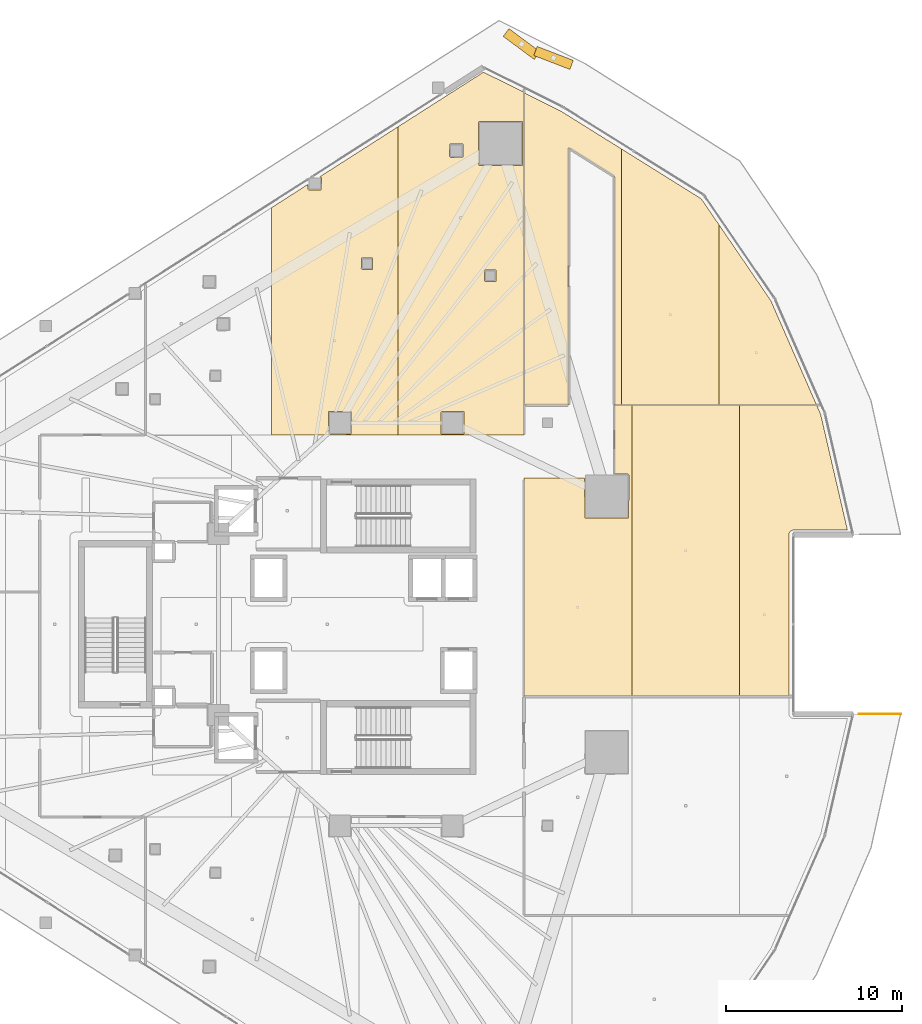
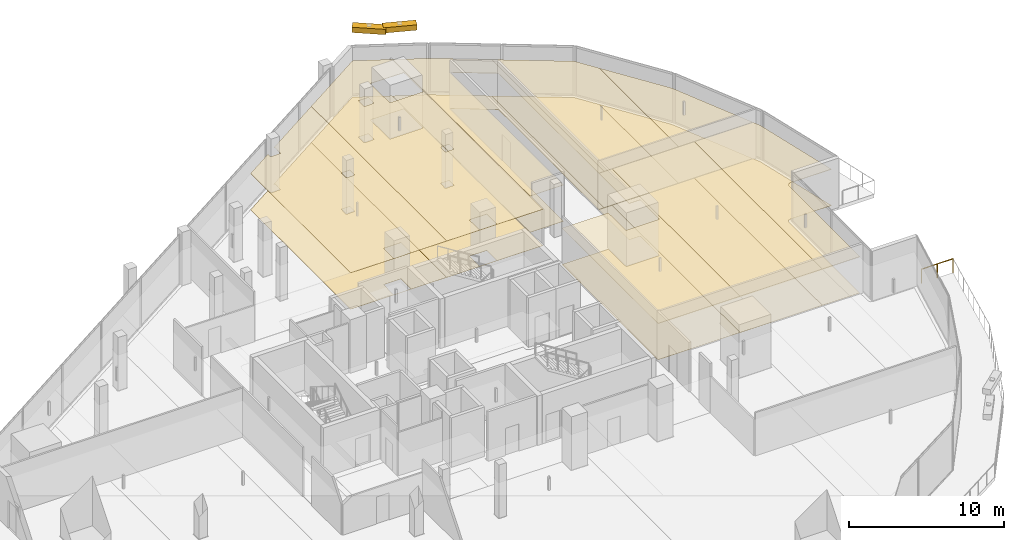
# One storey, part 45 of 45: 16 coverings, 2 shading devices, 1 railing.
"""IFC4 building model written with IfcOpenShell, lengths in metres."""

from ifc_helpers import new_model, si_unit, direction, frame, origin, origin_2d, place, context, subcontext, project, spatial, polyline, rectangle, circle, outline, extrude, material, layer, layer_set, type_object, element, save


model = new_model("IFC4")

# Units and contexts
model_context = context("Model", 3, precision=1e-05, world=origin(), true_north=direction((0.0, 1.0)))
body_context = subcontext(model_context, "Body", "Model", "MODEL_VIEW")
ifc_project = project(units=[si_unit("LENGTHUNIT", "METRE"), si_unit("AREAUNIT", "SQUARE_METRE"), si_unit("VOLUMEUNIT", "CUBIC_METRE"), si_unit("PLANEANGLEUNIT", "RADIAN"), si_unit("MASSUNIT", "GRAM", prefix="KILO")], contexts=[model_context])

# Site, building, storey
site_placement = place(None, origin())
site = spatial("IfcSite", under=ifc_project, at=site_placement, CompositionType="ELEMENT")
building_placement = place(site_placement, origin())
building = spatial("IfcBuilding", under=site, at=building_placement, Name="Qorvath Tower", CompositionType="ELEMENT")
storey_placement = place(building_placement, frame((0.0, 0.0, 95.39990234375)))
storey = spatial("IfcBuildingStorey", under=building, at=storey_placement, Name="L21", CompositionType="ELEMENT", Elevation=95.39990234375)

# Coverings
ifc_material_1 = material(Name="Acoustic mineral fibre ceiling tile", Category="gypsum")
ifc_layer_1 = layer(ifc_material_1, 0.030029296875)
ifc_layer_set_1 = layer_set([ifc_layer_1], Name="COV-CEIL")
covering_type_1 = type_object("IfcCoveringType", Name="COV-CEIL", PredefinedType="CEILING", material=ifc_layer_set_1)
covering_1_placement = place(storey_placement, frame((0.0, 0.0, 2.85009765625)))
element("IfcCovering", 1, at=covering_1_placement, inside=storey, type_object=covering_type_1, Name="L21 Suspended Acoustic Ceiling 010", PredefinedType="CEILING", context=body_context, shape_type="SweptSolid", body=[
    extrude(outline(polyline([(-25.422607421875, 24.73388671875), (-25.422607421875, 25.0068359375), (-27.47509765625, 23.68994140625), (-27.47509765625, 10.762939453125), (-20.304931640625, 10.762939453125), (-20.304931640625, 28.277587890625), (-24.738525390625, 25.44384765625), (-24.652587890625, 25.3837890625), (-24.670166015625, 24.69140625), (-25.362548828125, 24.673828125), (-25.422607421875, 24.73388671875)]), holes=[polyline([(-22.38818359375, 20.219970703125), (-22.37060546875, 20.812255859375), (-21.73583984375, 20.812255859375), (-21.73583984375, 20.177490234375), (-22.328125, 20.159912109375), (-22.38818359375, 20.219970703125)]), polyline([(-24.260009765625, 10.85009765625), (-24.242431640625, 12.092529296875), (-22.95751953125, 12.092529296875), (-22.95751953125, 10.8076171875), (-24.199951171875, 10.7900390625), (-24.260009765625, 10.85009765625)])]), origin(), (0.0, 0.0, 1.0), 0.030029296875),
])
covering_2_placement = place(storey_placement, frame((0.0, 0.0, 2.85009765625)))
element("IfcCovering", 2, at=covering_2_placement, inside=storey, type_object=covering_type_1, Name="L21 Suspended Acoustic Ceiling 011", PredefinedType="CEILING", context=body_context, shape_type="SweptSolid", body=[
    extrude(outline(polyline([(-20.304931640625, 28.277587890625), (-20.304931640625, 10.762939453125), (-13.135009765625, 10.762939453125), (-13.142578125, 30.24755859375), (-15.439697265625, 31.38720703125), (-20.304931640625, 28.277587890625)]), holes=[polyline([(-15.724365234375, 28.53076171875), (-15.664306640625, 28.5908203125), (-13.221923828125, 28.5732421875), (-13.221923828125, 26.08837890625), (-15.706787109375, 26.08837890625), (-15.724365234375, 28.53076171875)]), polyline([(-15.381103515625, 19.543212890625), (-15.363525390625, 20.135498046875), (-14.728759765625, 20.135498046875), (-14.728759765625, 19.500732421875), (-15.321044921875, 19.483154296875), (-15.381103515625, 19.543212890625)]), polyline([(-17.860107421875, 12.050048828125), (-17.800048828125, 12.110107421875), (-16.5576171875, 12.092529296875), (-16.5576171875, 10.8076171875), (-17.842529296875, 10.8076171875), (-17.860107421875, 12.050048828125)]), polyline([(-17.3662109375, 26.604248046875), (-17.3486328125, 27.296630859375), (-16.61376953125, 27.296630859375), (-16.61376953125, 26.561767578125), (-17.30615234375, 26.544189453125), (-17.3662109375, 26.604248046875)])]), origin(), (0.0, 0.0, 1.0), 0.030029296875),
])
covering_3_placement = place(storey_placement, frame((0.0, 0.0, 2.85009765625)))
element("IfcCovering", 3, at=covering_3_placement, inside=storey, type_object=covering_type_1, Name="L21 Suspended Acoustic Ceiling 018", PredefinedType="CEILING", context=body_context, shape_type="SweptSolid", body=[
    extrude(outline(polyline([(-7.008056640625, -4.08984375), (-7.008056640625, 12.458984375), (-7.987060546875, 12.458984375), (-7.987060546875, 8.536376953125), (-7.230224609375, 8.536376953125), (-7.17041015625, 8.476318359375), (-7.18798828125, 6.033935546875), (-9.672607421875, 6.033935546875), (-9.690185546875, 8.306884765625), (-13.136962890625, 8.306884765625), (-13.136962890625, -4.08984375), (-7.008056640625, -4.08984375)])), origin(), (0.0, 0.0, 1.0), 0.030029296875),
])
covering_4_placement = place(storey_placement, frame((0.0, 0.0, 2.85009765625)))
element("IfcCovering", 4, at=covering_4_placement, inside=storey, type_object=covering_type_1, Name="L21 Suspended Acoustic Ceiling 019", PredefinedType="CEILING", context=body_context, shape_type="SweptSolid", body=[
    extrude(outline(polyline([(-0.87890625, -4.08984375), (-0.87890625, 12.458984375), (-7.008056640625, 12.458984375), (-7.008056640625, -4.08984375), (-0.87890625, -4.08984375)])), origin(), (0.0, 0.0, 1.0), 0.030029296875),
])
covering_5_placement = place(storey_placement, frame((0.0, 0.0, 2.85009765625)))
element("IfcCovering", 5, at=covering_5_placement, inside=storey, type_object=covering_type_1, Name="L21 Suspended Acoustic Ceiling 020", PredefinedType="CEILING", context=body_context, shape_type="SweptSolid", body=[
    extrude(outline(polyline([(2.14599609375, 5.35107421875), (5.25, 5.3525390625), (3.72998046875, 11.934814453125), (3.500244140625, 12.458984375), (-0.87890625, 12.458984375), (-0.87890625, -4.08984375), (1.917236328125, -4.08984375), (1.927978515625, 5.170166015625), (2.009521484375, 5.293701171875), (2.14599609375, 5.35107421875)])), origin(), (0.0, 0.0, 1.0), 0.030029296875),
])
covering_6_placement = place(storey_placement, frame((0.0, 0.0, 2.85009765625)))
element("IfcCovering", 6, at=covering_6_placement, inside=storey, type_object=covering_type_1, Name="L21 Suspended Acoustic Ceiling 021", PredefinedType="CEILING", context=body_context, shape_type="SweptSolid", body=[
    extrude(outline(polyline([(-7.987060546875, 12.47705078125), (-7.585693359375, 12.47705078125), (-7.585693359375, 27.0166015625), (-11.047607421875, 29.177978515625), (-13.124755859375, 30.216552734375), (-13.11767578125, 12.468994140625), (-10.613037109375, 12.468994140625), (-10.608642578125, 27.0966796875), (-7.987060546875, 25.458251953125), (-7.987060546875, 12.47705078125)])), origin(), (0.0, 0.0, 1.0), 0.030029296875),
])
covering_7_placement = place(storey_placement, frame((0.0, 0.0, 2.85009765625)))
element("IfcCovering", 7, at=covering_7_placement, inside=storey, type_object=covering_type_1, Name="L21 Suspended Acoustic Ceiling 022", PredefinedType="CEILING", context=body_context, shape_type="SweptSolid", body=[
    extrude(outline(polyline([(-7.585693359375, 27.0166015625), (-7.585693359375, 12.47705078125), (-2.046630859375, 12.47705078125), (-2.046630859375, 22.70556640625), (-3.0625, 24.192626953125), (-7.585693359375, 27.0166015625)])), origin(), (0.0, 0.0, 1.0), 0.030029296875),
])
covering_8_placement = place(storey_placement, frame((0.0, 0.0, 2.85009765625)))
element("IfcCovering", 8, at=covering_8_placement, inside=storey, type_object=covering_type_1, Name="L21 Suspended Acoustic Ceiling 023", PredefinedType="CEILING", context=body_context, shape_type="SweptSolid", body=[
    extrude(outline(polyline([(-2.046630859375, 22.70556640625), (-2.046630859375, 12.47705078125), (3.4921875, 12.47705078125), (0.898681640625, 18.393798828125), (-2.046630859375, 22.70556640625)])), origin(), (0.0, 0.0, 1.0), 0.030029296875),
])
ifc_material_2 = material(Name="Low-VOC modular carpet tile", Category="textile")
ifc_layer_2 = layer(ifc_material_2, 0.014892578125)
ifc_layer_set_2 = layer_set([ifc_layer_2], Name="COV-FLOOR-CPT")
covering_type_2 = type_object("IfcCoveringType", Name="COV-FLOOR-CPT", PredefinedType="FLOORING", material=ifc_layer_set_2)
covering_9_placement = place(storey_placement, origin())
element("IfcCovering", 9, at=covering_9_placement, inside=storey, type_object=covering_type_2, Name="L21 Floor Finish 010", PredefinedType="FLOORING", context=body_context, shape_type="SweptSolid", body=[
    extrude(outline(polyline([(-25.422607421875, 24.73388671875), (-25.422607421875, 25.0068359375), (-27.47509765625, 23.68994140625), (-27.47509765625, 10.762939453125), (-20.304931640625, 10.762939453125), (-20.304931640625, 28.277587890625), (-24.738525390625, 25.44384765625), (-24.652587890625, 25.3837890625), (-24.670166015625, 24.69140625), (-25.362548828125, 24.673828125), (-25.422607421875, 24.73388671875)]), holes=[polyline([(-22.38818359375, 20.219970703125), (-22.37060546875, 20.812255859375), (-21.73583984375, 20.812255859375), (-21.73583984375, 20.177490234375), (-22.328125, 20.159912109375), (-22.38818359375, 20.219970703125)]), polyline([(-24.260009765625, 10.85009765625), (-24.242431640625, 12.092529296875), (-22.95751953125, 12.092529296875), (-22.95751953125, 10.8076171875), (-24.199951171875, 10.7900390625), (-24.260009765625, 10.85009765625)])]), origin(), (0.0, 0.0, 1.0), 0.01513671875),
])
covering_10_placement = place(storey_placement, origin())
element("IfcCovering", 10, at=covering_10_placement, inside=storey, type_object=covering_type_2, Name="L21 Floor Finish 011", PredefinedType="FLOORING", context=body_context, shape_type="SweptSolid", body=[
    extrude(outline(polyline([(-20.304931640625, 28.277587890625), (-20.304931640625, 10.762939453125), (-13.135009765625, 10.762939453125), (-13.142578125, 30.24755859375), (-15.439697265625, 31.38720703125), (-20.304931640625, 28.277587890625)]), holes=[polyline([(-15.724365234375, 28.53076171875), (-15.664306640625, 28.5908203125), (-13.221923828125, 28.5732421875), (-13.221923828125, 26.08837890625), (-15.706787109375, 26.08837890625), (-15.724365234375, 28.53076171875)]), polyline([(-15.381103515625, 19.543212890625), (-15.363525390625, 20.135498046875), (-14.728759765625, 20.135498046875), (-14.728759765625, 19.500732421875), (-15.321044921875, 19.483154296875), (-15.381103515625, 19.543212890625)]), polyline([(-17.860107421875, 12.050048828125), (-17.800048828125, 12.110107421875), (-16.5576171875, 12.092529296875), (-16.5576171875, 10.8076171875), (-17.842529296875, 10.8076171875), (-17.860107421875, 12.050048828125)]), polyline([(-17.3662109375, 26.604248046875), (-17.3486328125, 27.296630859375), (-16.61376953125, 27.296630859375), (-16.61376953125, 26.561767578125), (-17.30615234375, 26.544189453125), (-17.3662109375, 26.604248046875)])]), origin(), (0.0, 0.0, 1.0), 0.01513671875),
])
covering_11_placement = place(storey_placement, origin())
element("IfcCovering", 11, at=covering_11_placement, inside=storey, type_object=covering_type_2, Name="L21 Floor Finish 018", PredefinedType="FLOORING", context=body_context, shape_type="SweptSolid", body=[
    extrude(outline(polyline([(-7.008056640625, -4.08984375), (-7.008056640625, 12.458984375), (-7.987060546875, 12.458984375), (-7.987060546875, 8.536376953125), (-7.230224609375, 8.536376953125), (-7.17041015625, 8.476318359375), (-7.18798828125, 6.033935546875), (-9.672607421875, 6.033935546875), (-9.690185546875, 8.306884765625), (-13.136962890625, 8.306884765625), (-13.136962890625, -4.08984375), (-7.008056640625, -4.08984375)])), origin(), (0.0, 0.0, 1.0), 0.01513671875),
])
covering_12_placement = place(storey_placement, origin())
element("IfcCovering", 12, at=covering_12_placement, inside=storey, type_object=covering_type_2, Name="L21 Floor Finish 019", PredefinedType="FLOORING", context=body_context, shape_type="SweptSolid", body=[
    extrude(outline(polyline([(-0.87890625, -4.08984375), (-0.87890625, 12.458984375), (-7.008056640625, 12.458984375), (-7.008056640625, -4.08984375), (-0.87890625, -4.08984375)])), origin(), (0.0, 0.0, 1.0), 0.01513671875),
])
covering_13_placement = place(storey_placement, origin())
element("IfcCovering", 13, at=covering_13_placement, inside=storey, type_object=covering_type_2, Name="L21 Floor Finish 020", PredefinedType="FLOORING", context=body_context, shape_type="SweptSolid", body=[
    extrude(outline(polyline([(2.14599609375, 5.35107421875), (5.25, 5.3525390625), (3.72998046875, 11.934814453125), (3.500244140625, 12.458984375), (-0.87890625, 12.458984375), (-0.87890625, -4.08984375), (1.917236328125, -4.08984375), (1.927978515625, 5.170166015625), (2.009521484375, 5.293701171875), (2.14599609375, 5.35107421875)])), origin(), (0.0, 0.0, 1.0), 0.01513671875),
])
covering_14_placement = place(storey_placement, origin())
element("IfcCovering", 14, at=covering_14_placement, inside=storey, type_object=covering_type_2, Name="L21 Floor Finish 021", PredefinedType="FLOORING", context=body_context, shape_type="SweptSolid", body=[
    extrude(outline(polyline([(-7.987060546875, 12.47705078125), (-7.585693359375, 12.47705078125), (-7.585693359375, 27.0166015625), (-11.047607421875, 29.177978515625), (-13.124755859375, 30.216552734375), (-13.11767578125, 12.468994140625), (-10.613037109375, 12.468994140625), (-10.608642578125, 27.0966796875), (-7.987060546875, 25.458251953125), (-7.987060546875, 12.47705078125)])), origin(), (0.0, 0.0, 1.0), 0.01513671875),
])
covering_15_placement = place(storey_placement, origin())
element("IfcCovering", 15, at=covering_15_placement, inside=storey, type_object=covering_type_2, Name="L21 Floor Finish 022", PredefinedType="FLOORING", context=body_context, shape_type="SweptSolid", body=[
    extrude(outline(polyline([(-7.585693359375, 27.0166015625), (-7.585693359375, 12.47705078125), (-2.046630859375, 12.47705078125), (-2.046630859375, 22.70556640625), (-3.0625, 24.192626953125), (-7.585693359375, 27.0166015625)])), origin(), (0.0, 0.0, 1.0), 0.01513671875),
])
covering_16_placement = place(storey_placement, origin())
element("IfcCovering", 16, at=covering_16_placement, inside=storey, type_object=covering_type_2, Name="L21 Floor Finish 023", PredefinedType="FLOORING", context=body_context, shape_type="SweptSolid", body=[
    extrude(outline(polyline([(-2.046630859375, 22.70556640625), (-2.046630859375, 12.47705078125), (3.4921875, 12.47705078125), (0.898681640625, 18.393798828125), (-2.046630859375, 22.70556640625)])), origin(), (0.0, 0.0, 1.0), 0.01513671875),
])

# Railing
ifc_material_3 = material(Name="Laminated safety glass and stainless steel AISI 316", Category="steel")
railing_type = type_object("IfcRailingType", Name="RL-EXT-GRD", PredefinedType="GUARDRAIL", material=ifc_material_3)
railing_placement = place(storey_placement, frame((5.92041015625, -5.09765625, 0.0)))
element("IfcRailing", 17, at=railing_placement, inside=storey, type_object=railing_type, Name="Loggia Perimeter Guardrail L21-1.2", PredefinedType="GUARDRAIL", context=body_context, shape_type="SweptSolid", body=[
    extrude(circle(Radius=0.02392578125, at=origin_2d()), frame((0.0, 0.0, 1.09619140625), z_axis=(1.0, 0.0, 0.0), x_axis=(0.0, 1.0, 0.0)), (0.0, 0.0, 1.0), 2.366455078125),
    extrude(circle(Radius=0.02099609375, at=origin_2d()), origin(), (0.0, 0.0, 1.0), 1.072021484375),
    extrude(circle(Radius=0.02099609375, at=origin_2d()), frame((1.18310546875, 0.0, 0.0)), (0.0, 0.0, 1.0), 1.072021484375),
    extrude(circle(Radius=0.02099609375, at=origin_2d()), frame((2.366455078125, 0.0, 0.0)), (0.0, 0.0, 1.0), 1.072021484375),
])

# Shading devices
ifc_material_4 = material(Name="Anodised bronze-champagne aluminium", Category="aluminium")
shading_device_type = type_object("IfcShadingDeviceType", Name="SD-LOUVRE", PredefinedType="JALOUSIE", material=ifc_material_4)
for number, where, z_axis, x_axis, name in (
    (18, (-11.4560546875, 32.19384765625, 3.480224609375), (0.0, 0.0, 1.0), (-0.933311211481, 0.359068492804, 0.0), "Sinusoidal Wave Louvre Blade L21-05"),
    (19, (-13.268798828125, 32.982421875, 3.480224609375), (0.0, 0.0, 1.0), (-0.803103550105, 0.595839481579, 0.0), "Sinusoidal Wave Louvre Blade L21-06"),
):
    element("IfcShadingDevice", number, at=place(storey_placement, frame(where, z_axis=z_axis, x_axis=x_axis)), inside=storey, type_object=shading_device_type, Name=name, PredefinedType="NOTDEFINED", context=body_context, shape_type="SweptSolid", body=[
        extrude(rectangle(XDim=2.199951171875, YDim=0.550048828125, at=origin_2d()), origin(), (0.0, 0.0, 1.0), 0.419921875),
    ])

save(model, "model.ifc")
